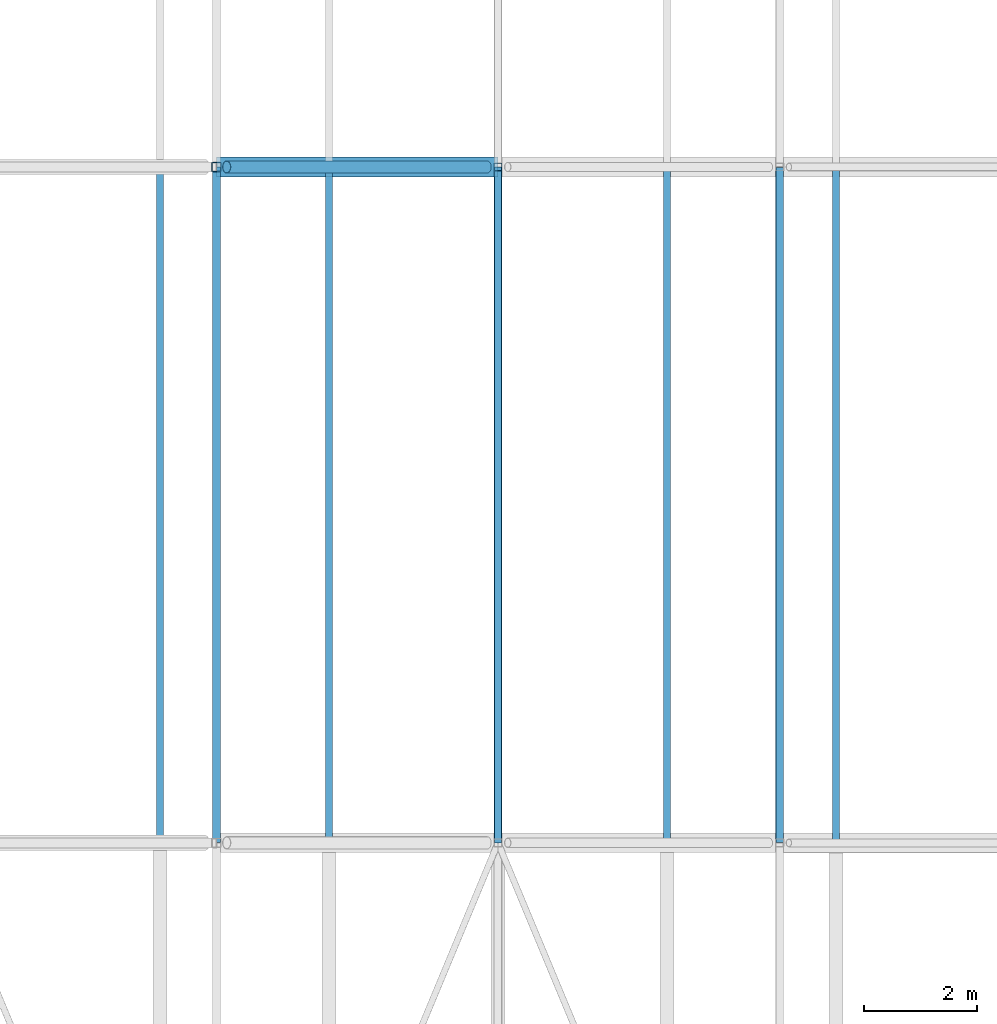
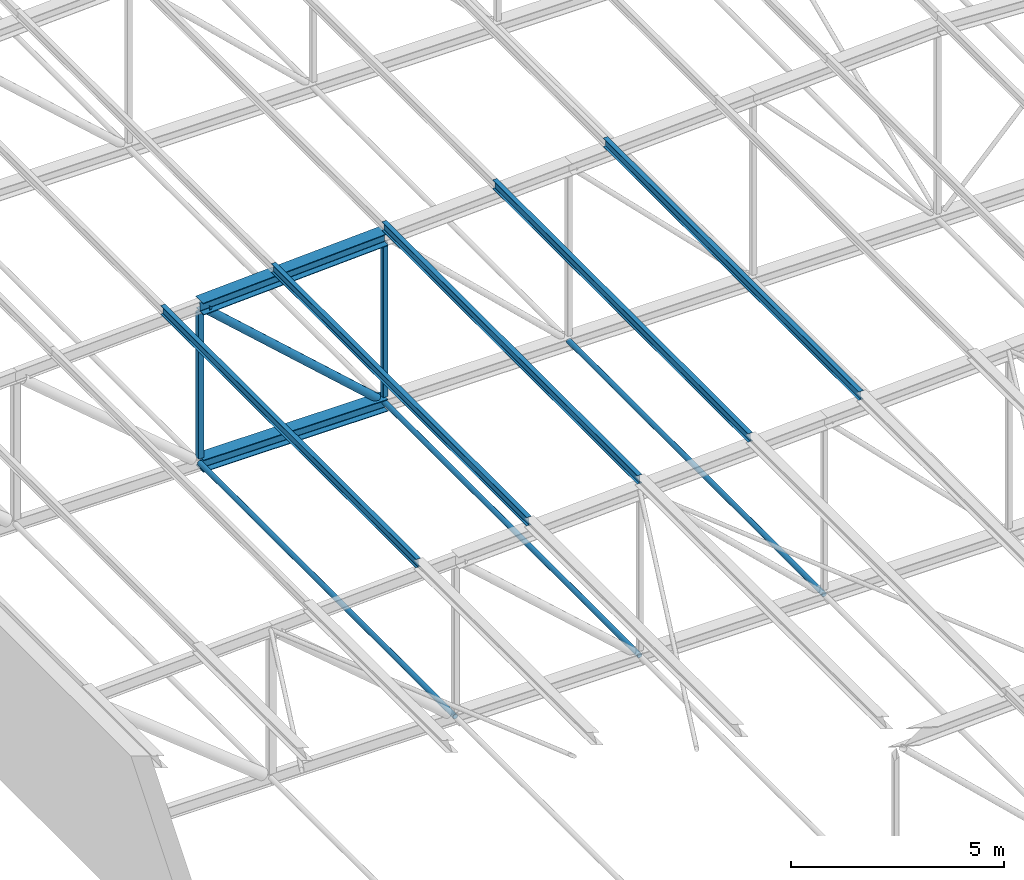
# One storey, part 54 of 156: 13 members.
"""IFC4 building model written with IfcOpenShell, lengths in metres."""

from ifc_helpers import new_model, si_unit, direction, frame, origin, origin_2d, place, context, subcontext, project, spatial, hollow_rectangle, hollow_circle, i_section, extrude, material, material_profile, profile_set, type_object, element, save


model = new_model("IFC4")

# Units and contexts
model_context = context("Model", 3, precision=1e-05, world=origin(), true_north=direction((0.0, 1.0)))
body_context = subcontext(model_context, "Body", "Model", "MODEL_VIEW")
ifc_project = project(units=[si_unit("LENGTHUNIT", "METRE"), si_unit("AREAUNIT", "SQUARE_METRE"), si_unit("VOLUMEUNIT", "CUBIC_METRE"), si_unit("PLANEANGLEUNIT", "RADIAN"), si_unit("MASSUNIT", "GRAM", prefix="KILO")], contexts=[model_context])

# Site, building, storey
site_placement = place(None, origin())
site = spatial("IfcSite", under=ifc_project, at=site_placement, CompositionType="ELEMENT")
building_placement = place(site_placement, origin())
building = spatial("IfcBuilding", under=site, at=building_placement, Name="Lilac Gate Convention Centre", CompositionType="ELEMENT")
storey_placement = place(building_placement, frame((0.0, 0.0, 17.0)))
storey = spatial("IfcBuildingStorey", under=building, at=storey_placement, Name="L03", CompositionType="ELEMENT", Elevation=17.0)

# Members
ifc_material = material(Name="Steel Q355B", Category="steel")
ifc_material_profile_1 = material_profile(ifc_material, hollow_circle(Radius=0.06982421875, WallThickness=0.0048828125, at=origin_2d()), Name="CHS139.7x5")
ifc_profile_set_1 = profile_set([ifc_material_profile_1], Name="Steel Q355B")
member_type_1 = type_object("IfcMemberType", Name="Bottom chord tie CHS139.7x5", PredefinedType="STRUT", material=ifc_profile_set_1)
member_1_placement = place(storey_placement, frame((40.0, 90.00341796875, 0.0), z_axis=(0.0, 1.0, 0.0), x_axis=(-1.0, 0.0, 0.0)))
element("IfcMember", 1, at=member_1_placement, inside=storey, type_object=member_type_1, Name="ST1 tie bay 6 node 3", PredefinedType="STRUT", context=body_context, shape_type="SweptSolid", body=[
    extrude(hollow_circle(Radius=0.06982421875, WallThickness=0.0048828125, at=origin_2d()), origin(), (0.0, 0.0, 1.0), 11.9931640625),
])
for number, where, z_axis, x_axis, name in (
    (2, (45.0, 90.006103515625, 0.0), (0.0, 1.0, 0.0), (-1.0, 0.0, 0.0), "ST1 tie bay 6 node 4"),
    (3, (50.0, 90.006103515625, 0.0), (0.0, 1.0, 0.0), (-1.0, 0.0, 0.0), "ST1 tie bay 6 node 5"),
):
    element("IfcMember", number, at=place(storey_placement, frame(where, z_axis=z_axis, x_axis=x_axis)), inside=storey, type_object=member_type_1, Name=name, PredefinedType="STRUT", context=body_context, shape_type="SweptSolid", body=[
        extrude(hollow_circle(Radius=0.06982421875, WallThickness=0.0048828125, at=origin_2d()), origin(), (0.0, 0.0, 1.0), 11.98779296875),
    ])
ifc_material_profile_2 = material_profile(ifc_material, i_section(OverallWidth=0.125, OverallDepth=0.25, WebThickness=0.006103515625, FlangeThickness=0.009033203125, FilletRadius=0.008056640625, at=origin_2d()), Name="HN250x125x6x9")
ifc_profile_set_2 = profile_set([ifc_material_profile_2], Name="Steel Q355B")
member_type_2 = type_object("IfcMemberType", Name="Roof purlin HN250x125x6x9", PredefinedType="PURLIN", material=ifc_profile_set_2)
for number, where, z_axis, x_axis, name in (
    (4, (39.0, 90.0, 4.750244140625), (0.0, 1.0, 0.0), (-1.0, 0.0, 0.0), "PU2 purlin bay 6 line 4"),
    (5, (42.0, 90.0, 4.900146484375), (0.0, 1.0, 0.0), (-1.0, 0.0, 0.0), "PU2 purlin bay 6 line 5"),
    (6, (45.0, 90.0, 5.05029296875), (0.0, 1.0, 0.0), (-1.0, 0.0, 0.0), "PU2 purlin bay 6 line 6"),
    (7, (48.0, 90.0, 5.2001953125), (0.0, 1.0, 0.0), (-1.0, 0.0, 0.0), "PU2 purlin bay 6 line 7"),
    (8, (51.0, 90.0, 5.35009765625), (0.0, 1.0, 0.0), (-1.0, 0.0, 0.0), "PU2 purlin bay 6 line 8"),
):
    element("IfcMember", number, at=place(storey_placement, frame(where, z_axis=z_axis, x_axis=x_axis)), inside=storey, type_object=member_type_2, Name=name, PredefinedType="PURLIN", context=body_context, shape_type="SweptSolid", body=[
        extrude(i_section(OverallWidth=0.125, OverallDepth=0.25, WebThickness=0.006103515625, FlangeThickness=0.009033203125, FilletRadius=0.008056640625, at=origin_2d()), origin(), (0.0, 0.0, 1.0), 12.0),
    ])
ifc_material_profile_3 = material_profile(ifc_material, i_section(OverallWidth=0.35009765625, OverallDepth=0.35009765625, WebThickness=0.011962890625, FlangeThickness=0.01904296875, FilletRadius=0.012939453125, at=origin_2d()), Name="HW350x350x12x19")
ifc_profile_set_3 = profile_set([ifc_material_profile_3], Name="Steel Q355B")
member_type_3 = type_object("IfcMemberType", Name="Truss bottom chord HW350x350x12x19", PredefinedType="CHORD", material=ifc_profile_set_3)
member_2_placement = place(storey_placement, frame((40.0, 102.0, 0.0), z_axis=(1.0, 0.0, 0.0), x_axis=(0.0, 1.0, 0.0)))
element("IfcMember", 9, at=member_2_placement, inside=storey, type_object=member_type_3, Name="TB2 truss 7 bottom chord 3", PredefinedType="CHORD", context=body_context, shape_type="SweptSolid", body=[
    extrude(i_section(OverallWidth=0.35009765625, OverallDepth=0.35009765625, WebThickness=0.011962890625, FlangeThickness=0.01904296875, FilletRadius=0.012939453125, at=origin_2d()), origin(), (0.0, 0.0, 1.0), 5.0),
])
ifc_material_profile_4 = material_profile(ifc_material, hollow_circle(Radius=0.109619140625, WallThickness=0.008056640625, at=origin_2d()), Name="CHS219.1x8")
ifc_profile_set_4 = profile_set([ifc_material_profile_4], Name="Steel Q355B")
member_type_4 = type_object("IfcMemberType", Name="Truss diagonal CHS219.1x8", PredefinedType="BRACE", material=ifc_profile_set_4)
member_3_placement = place(storey_placement, frame((40.1826171875, 102.0, 4.335693359375), z_axis=(0.743301953498, 0.0, -0.668956056797), x_axis=(0.0, 1.0, 0.0)))
element("IfcMember", 10, at=member_3_placement, inside=storey, type_object=member_type_4, Name="TW3 truss 7 diagonal 3", PredefinedType="BRACE", context=body_context, shape_type="SweptSolid", body=[
    extrude(hollow_circle(Radius=0.109619140625, WallThickness=0.008056640625, at=origin_2d()), origin(), (0.0, 0.0, 1.0), 6.2197265625),
])
ifc_material_profile_5 = material_profile(ifc_material, i_section(OverallWidth=0.35009765625, OverallDepth=0.35009765625, WebThickness=0.011962890625, FlangeThickness=0.01904296875, FilletRadius=0.012939453125, at=origin_2d()), Name="HW350x350x12x19")
ifc_profile_set_5 = profile_set([ifc_material_profile_5], Name="Steel Q355B")
member_type_5 = type_object("IfcMemberType", Name="Truss top chord HW350x350x12x19", PredefinedType="CHORD", material=ifc_profile_set_5)
member_4_placement = place(storey_placement, frame((40.0, 102.0, 4.5), z_axis=(0.998752338878, 0.0, 0.049937616944), x_axis=(0.0, 1.0, 0.0)))
element("IfcMember", 11, at=member_4_placement, inside=storey, type_object=member_type_5, Name="TT2 truss 7 top chord 3", PredefinedType="CHORD", context=body_context, shape_type="SweptSolid", body=[
    extrude(i_section(OverallWidth=0.35009765625, OverallDepth=0.35009765625, WebThickness=0.011962890625, FlangeThickness=0.01904296875, FilletRadius=0.012939453125, at=origin_2d()), origin(), (0.0, 0.0, 1.0), 5.00634765625),
])
ifc_material_profile_6 = material_profile(ifc_material, hollow_rectangle(XDim=0.139892578125, YDim=0.139892578125, WallThickness=0.0048828125, InnerFilletRadius=0.0048828125, OuterFilletRadius=0.010009765625, at=origin_2d()), Name="SHS140x140x5")
ifc_profile_set_6 = profile_set([ifc_material_profile_6], Name="Steel Q355B")
member_type_6 = type_object("IfcMemberType", Name="Truss vertical SHS140x140x5", PredefinedType="STRUT", material=ifc_profile_set_6)
member_5_placement = place(storey_placement, frame((45.0, 102.0, 0.175048828125), z_axis=(0.0, 0.0, 1.0), x_axis=(1.0, 0.0, 0.0)))
element("IfcMember", 12, at=member_5_placement, inside=storey, type_object=member_type_6, Name="TV4 truss 7 vertical 4", PredefinedType="STRUT", context=body_context, shape_type="SweptSolid", body=[
    extrude(hollow_rectangle(XDim=0.139892578125, YDim=0.139892578125, WallThickness=0.0048828125, InnerFilletRadius=0.0048828125, OuterFilletRadius=0.010009765625, at=origin_2d()), origin(), (0.0, 0.0, 1.0), 4.399658203125),
])
ifc_material_profile_7 = material_profile(ifc_material, hollow_rectangle(XDim=0.159912109375, YDim=0.159912109375, WallThickness=0.006103515625, InnerFilletRadius=0.006103515625, OuterFilletRadius=0.011962890625, at=origin_2d()), Name="SHS160x160x6")
ifc_profile_set_7 = profile_set([ifc_material_profile_7], Name="Steel Q355B")
member_type_7 = type_object("IfcMemberType", Name="Truss vertical SHS160x160x6", PredefinedType="STRUT", material=ifc_profile_set_7)
member_6_placement = place(storey_placement, frame((40.0, 102.0, 0.175048828125), z_axis=(0.0, 0.0, 1.0), x_axis=(1.0, 0.0, 0.0)))
element("IfcMember", 13, at=member_6_placement, inside=storey, type_object=member_type_7, Name="TV3 truss 7 vertical 3", PredefinedType="STRUT", context=body_context, shape_type="SweptSolid", body=[
    extrude(hollow_rectangle(XDim=0.159912109375, YDim=0.159912109375, WallThickness=0.006103515625, InnerFilletRadius=0.006103515625, OuterFilletRadius=0.011962890625, at=origin_2d()), origin(), (0.0, 0.0, 1.0), 4.149658203125),
])

save(model, "model.ifc")
